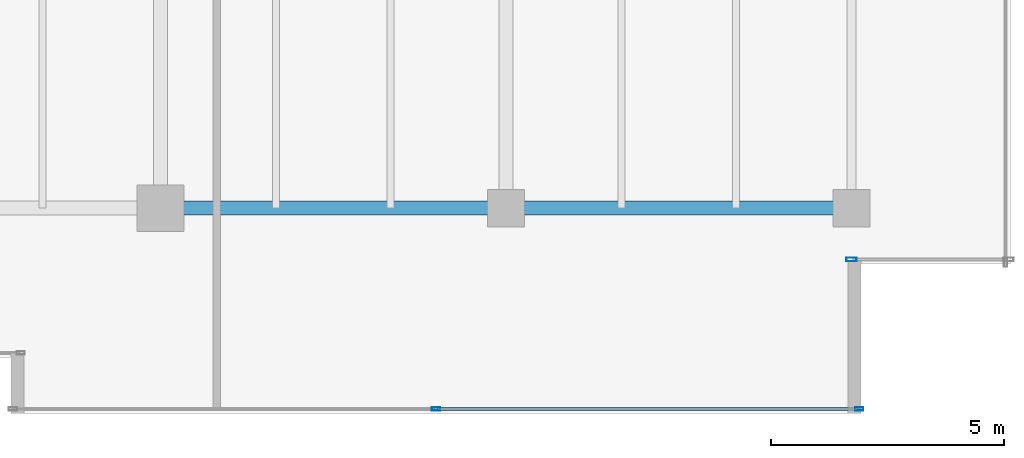
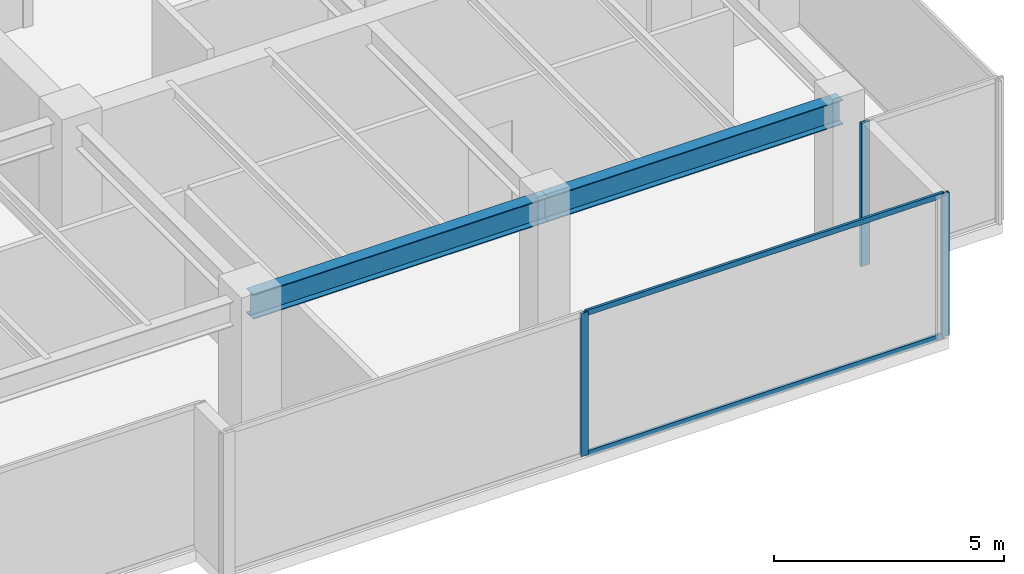
# One storey, part 13 of 33: 5 members, 2 beams, 2 elements without a shape of their own.
"""IFC4 building model written with IfcOpenShell, lengths in metres."""

import ifcopenshell
import ifcopenshell.guid

model = None  # the IFC model being written
_history = None  # IfcOwnerHistory: only IFC2X3 demands one
_inside = {}  # id of a spatial element -> (the spatial element, [elements in it])
_under = {}  # id of a project, library or spatial element -> (it, [spatial elements below it])
_declared = {}  # id of a project -> (the project, [libraries it declares])
_typed = {}  # id of a type object -> (the type object, [elements of that type])
_made_of = {}  # id of a material, layer set ... -> (it, [elements and type objects made of it])


def new_model(schema):
    """Start an empty IFC model of exactly this schema.

    Asked for "IFC4X3", IfcOpenShell would pick the latest addendum, in which some entities
    have other attributes; the version numbers below select the first issue.
    IFC2X3 requires an IfcOwnerHistory on every rooted entity: one is made here for all.
    """
    global model, _history
    if schema == "IFC4X3":
        model = ifcopenshell.file(schema_version=(4, 3, 0, 0))
    else:
        model = ifcopenshell.file(schema=schema)
    _inside.clear()
    _under.clear()
    _declared.clear()
    _typed.clear()
    _made_of.clear()
    _history = None
    if model.schema == "IFC2X3":
        org = make("IfcOrganization", Name="unknown")
        user = make(
            "IfcPersonAndOrganization",
            ThePerson=make("IfcPerson", FamilyName="unknown"),
            TheOrganization=org,
        )
        app = make(
            "IfcApplication",
            ApplicationDeveloper=org,
            Version="unknown",
            ApplicationFullName="unknown",
            ApplicationIdentifier="unknown",
        )
        _history = make(
            "IfcOwnerHistory",
            OwningUser=user,
            OwningApplication=app,
            ChangeAction="ADDED",
            CreationDate=0,
        )
    return model


def make(cls, **values):
    """One entity of the class cls with the attributes given. An attribute that is None is left unset."""
    return model.create_entity(
        cls, **{name: value for name, value in values.items() if value is not None}
    )


def rooted(cls, **values):
    """An entity with a GlobalId (a new one), such as an element, a storey or a relation."""
    return make(cls, GlobalId=ifcopenshell.guid.new(), OwnerHistory=_history, **values)


def si_unit(unit_type, name, prefix=None):
    """IfcSIUnit, for example si_unit("LENGTHUNIT", "METRE", prefix="MILLI")."""
    return make("IfcSIUnit", UnitType=unit_type, Prefix=prefix, Name=name)


def assignment(units):
    """IfcUnitAssignment: the units of a project."""
    return None if units is None else make("IfcUnitAssignment", Units=units)


def point(xyz):
    """IfcCartesianPoint."""
    return None if xyz is None else make("IfcCartesianPoint", Coordinates=xyz)


def direction(xyz):
    """IfcDirection."""
    return None if xyz is None else make("IfcDirection", DirectionRatios=xyz)


def frame(location, z_axis=None, x_axis=None):
    """IfcAxis2Placement3D, a coordinate frame: its origin and axes. An axis left out is left unset."""
    return make(
        "IfcAxis2Placement3D",
        Location=point(location),
        Axis=direction(z_axis),
        RefDirection=direction(x_axis),
    )


def frame_2d(location, x_axis=None):
    """IfcAxis2Placement2D, a coordinate frame in the plane: its origin and x axis."""
    return make(
        "IfcAxis2Placement2D", Location=point(location), RefDirection=direction(x_axis)
    )


def origin():
    """The frame at (0, 0, 0) with its axes left unset."""
    return frame((0.0, 0.0, 0.0))


def origin_2d():
    """The frame at (0, 0) in the plane with its x axis left unset."""
    return frame_2d((0.0, 0.0))


def place(relative_to, where):
    """IfcLocalPlacement: puts the frame where relative to a parent placement (None: the world)."""
    return make(
        "IfcLocalPlacement", PlacementRelTo=relative_to, RelativePlacement=where
    )


def context(
    kind, dimensions, precision=None, world=None, true_north=None, identifier=None
):
    """IfcGeometricRepresentationContext, for example the 3D "Model" context."""
    return make(
        "IfcGeometricRepresentationContext",
        ContextIdentifier=identifier,
        ContextType=kind,
        CoordinateSpaceDimension=dimensions,
        Precision=precision,
        WorldCoordinateSystem=world,
        TrueNorth=true_north,
    )


def subcontext(parent, identifier, kind, view, scale=None):
    """IfcGeometricRepresentationSubContext, for example "Body" below "Model"."""
    return make(
        "IfcGeometricRepresentationSubContext",
        ContextIdentifier=identifier,
        ContextType=kind,
        ParentContext=parent,
        TargetScale=scale,
        TargetView=view,
    )


def project(units=None, contexts=None):
    """IfcProject with its units and contexts."""
    return rooted(
        "IfcProject",
        Name="project",
        RepresentationContexts=contexts,
        UnitsInContext=assignment(units),
    )


def spatial(cls, under=None, at=None, **own):
    """A site, building, storey or space (cls), placed at a placement, below another one or the project."""
    s = rooted(cls, ObjectPlacement=at, **own)
    if under is not None:
        _under.setdefault(under.id(), (under, []))[1].append(s)
    return s


def profile(cls, at=None, kind="AREA", **sizes):
    """A parametric profile (cls). Its sizes go by their IFC names, for example OverallWidth=200.0."""
    return make(cls, ProfileType=kind, Position=at, **sizes)


def hollow_rectangle(**sizes):
    """IfcRectangleHollowProfileDef."""
    return profile("IfcRectangleHollowProfileDef", **sizes)


def i_section(**sizes):
    """IfcIShapeProfileDef."""
    return profile("IfcIShapeProfileDef", **sizes)


def extrude(swept, where, along, depth):
    """IfcExtrudedAreaSolid: the profile swept, set in the frame where, extruded along a direction by depth."""
    return make(
        "IfcExtrudedAreaSolid",
        SweptArea=swept,
        Position=where,
        ExtrudedDirection=direction(along),
        Depth=depth,
    )


def shape(context_of_items, identifier, shape_type, items):
    """IfcShapeRepresentation: the items that make up one representation, for example the "Body"."""
    return make(
        "IfcShapeRepresentation",
        ContextOfItems=context_of_items,
        RepresentationIdentifier=identifier,
        RepresentationType=shape_type,
        Items=items,
    )


def source(mapping_origin, context_of_items, identifier, shape_type, items):
    """IfcRepresentationMap: a shape defined once, which mapped items show again and again."""
    return make(
        "IfcRepresentationMap",
        MappingOrigin=mapping_origin,
        MappedRepresentation=shape(context_of_items, identifier, shape_type, items),
    )


def transform(
    local_origin,
    x_axis=None,
    y_axis=None,
    z_axis=None,
    scale=None,
    scale2=None,
    scale3=None,
    uniform=True,
):
    """IfcCartesianTransformationOperator3D, or its non-uniform kind. x_axis, y_axis, z_axis: its Axis1, 2, 3."""
    if uniform:
        return make(
            "IfcCartesianTransformationOperator3D",
            Axis1=direction(x_axis),
            Axis2=direction(y_axis),
            LocalOrigin=point(local_origin),
            Scale=scale,
            Axis3=direction(z_axis),
        )
    return make(
        "IfcCartesianTransformationOperator3DnonUniform",
        Axis1=direction(x_axis),
        Axis2=direction(y_axis),
        LocalOrigin=point(local_origin),
        Scale=scale,
        Axis3=direction(z_axis),
        Scale2=scale2,
        Scale3=scale3,
    )


def mapped(mapping_source, mapping_target):
    """IfcMappedItem: shows the shape of a source again, moved by a transform."""
    return make(
        "IfcMappedItem", MappingSource=mapping_source, MappingTarget=mapping_target
    )


def material(Name=None, Category=None):
    """IfcMaterial."""
    return make("IfcMaterial", Name=Name, Category=Category)


def layer(
    of_material, thickness, ventilated=None, Name=None, Category=None, Priority=None
):
    """IfcMaterialLayer: one layer of a wall or slab, of a material (None: an air gap)."""
    return make(
        "IfcMaterialLayer",
        Material=of_material,
        LayerThickness=thickness,
        IsVentilated=ventilated,
        Name=Name,
        Category=Category,
        Priority=Priority,
    )


def layer_set(layers, Name=None):
    """IfcMaterialLayerSet."""
    return make("IfcMaterialLayerSet", MaterialLayers=layers, LayerSetName=Name)


def material_profile(
    of_material, cross_section, Name=None, Category=None, Priority=None
):
    """IfcMaterialProfile: a cross section and its material."""
    return make(
        "IfcMaterialProfile",
        Name=Name,
        Material=of_material,
        Profile=cross_section,
        Priority=Priority,
        Category=Category,
    )


def profile_set(profiles, Name=None, composite=None):
    """IfcMaterialProfileSet."""
    return make(
        "IfcMaterialProfileSet",
        Name=Name,
        MaterialProfiles=profiles,
        CompositeProfile=composite,
    )


def made_of(thing, what):
    """Note that an element or type object is made of a material, layer set ...; save() writes the relation."""
    if what is not None:
        _made_of.setdefault(what.id(), (what, []))[1].append(thing)
    return thing


def type_object(cls, material=None, **own):
    """A type object (cls), such as IfcWallType, which elements share."""
    return made_of(rooted(cls, **own), material)


def type_shapes(of_type, sources):
    """Give a type object the sources (RepresentationMaps) that its elements show as mapped items."""
    of_type.RepresentationMaps = sources


def element(
    cls,
    number,
    at=None,
    inside=None,
    cuts=None,
    type_object=None,
    material=None,
    context=None,
    identifier="Body",
    shape_type=None,
    held_by="IfcProductDefinitionShape",
    body=None,
    shapes=None,
    **own,
):
    """One element of the class cls, such as IfcWall. Its Tag is "e" and its number.

    at: its placement. inside: the storey or other place that contains it. cuts: it is an
    opening in that element (IfcRelVoidsElement). A single representation is given by context,
    identifier, shape_type and body (its items); several are given by shapes. held_by: the class
    of the entity that holds the representations. save() writes the other relations.
    """
    e = rooted(cls, Tag="e%d" % number, ObjectPlacement=at, **own)
    if body is not None:
        shapes = [shape(context, identifier, shape_type, body)]
    if shapes is not None:
        e.Representation = make(held_by, Representations=shapes)
    if inside is not None:
        _inside.setdefault(inside.id(), (inside, []))[1].append(e)
    if cuts is not None:
        rooted(
            "IfcRelVoidsElement", RelatingBuildingElement=cuts, RelatedOpeningElement=e
        )
    if type_object is not None:
        _typed.setdefault(type_object.id(), (type_object, []))[1].append(e)
    return made_of(e, material)


def aggregate(whole, parts):
    """IfcRelAggregates: a whole, such as a stair, and the parts it consists of."""
    return rooted("IfcRelAggregates", RelatingObject=whole, RelatedObjects=parts)


def save(model, path):
    """Write the relations noted so far, then the file.

    IfcRelAggregates (storeys below a building ...), IfcRelContainedInSpatialStructure (elements
    in a storey), IfcRelDefinesByType, IfcRelAssociatesMaterial and IfcRelDeclares: one each for
    every whole, place, type object, material and project.
    """
    for whole, parts in _under.values():
        aggregate(whole, parts)
    for where, things in _inside.values():
        rooted(
            "IfcRelContainedInSpatialStructure",
            RelatedElements=things,
            RelatingStructure=where,
        )
    for kind, things in _typed.values():
        rooted("IfcRelDefinesByType", RelatedObjects=things, RelatingType=kind)
    for what, things in _made_of.values():
        rooted("IfcRelAssociatesMaterial", RelatedObjects=things, RelatingMaterial=what)
    for by, libraries in _declared.values():
        rooted("IfcRelDeclares", RelatingContext=by, RelatedDefinitions=libraries)
    model.write(path)


model = new_model("IFC4")

# Units and contexts
model_context = context("Model", 3, precision=1e-05, world=origin(), true_north=direction((0.0, 1.0)))
body_context = subcontext(model_context, "Body", "Model", "MODEL_VIEW")
ifc_project = project(units=[si_unit("LENGTHUNIT", "METRE"), si_unit("AREAUNIT", "SQUARE_METRE"), si_unit("VOLUMEUNIT", "CUBIC_METRE"), si_unit("PLANEANGLEUNIT", "RADIAN"), si_unit("MASSUNIT", "GRAM", prefix="KILO")], contexts=[model_context])

# Site, building, storey
site_placement = place(None, origin())
site = spatial("IfcSite", under=ifc_project, at=site_placement, CompositionType="ELEMENT")
building_placement = place(site_placement, origin())
building = spatial("IfcBuilding", under=site, at=building_placement, Name="Haelvirn Gate Laboratories", CompositionType="ELEMENT")
storey_placement = place(building_placement, frame((0.0, 0.0, 213.699951171875)))
storey = spatial("IfcBuildingStorey", under=building, at=storey_placement, Name="L51", CompositionType="ELEMENT", Elevation=213.699951171875)

# Beams
ifc_material_1 = material(Name="Steel SM355", Category="steel")
ifc_material_profile_1 = material_profile(ifc_material_1, i_section(OverallWidth=0.300048828125, OverallDepth=0.64990234375, WebThickness=0.012939453125, FlangeThickness=0.02197265625, at=origin_2d()), Name="H-650x300x13x22")
ifc_profile_set_1 = profile_set([ifc_material_profile_1], Name="Steel SM355")
beam_type = type_object("IfcBeamType", Name="BM-G-650", PredefinedType="BEAM", material=ifc_profile_set_1)
shared_shape_1 = source(origin(), body_context, "Body", "SweptSolid", [
    extrude(i_section(OverallWidth=0.300048828125, OverallDepth=0.64990234375, WebThickness=0.012939453125, FlangeThickness=0.02197265625, at=origin_2d()), origin(), (0.0, 0.0, 1.0), 7.39990234375),
])
type_shapes(beam_type, [shared_shape_1])
for number, where, z_axis, x_axis, name in (
    (1, (52.60009765625, 7.0, 3.47509765625), (1.0, 0.0, 0.0), (0.0, 1.0, 0.0), "L51 Primary Girder Y7.0 (52.6-60.0)"),
    (2, (60.0, 7.0, 3.47509765625), (1.0, 0.0, 0.0), (0.0, 1.0, 0.0), "L51 Primary Girder Y7.0 (60.0-67.4)"),
):
    element("IfcBeam", number, at=place(storey_placement, frame(where, z_axis=z_axis, x_axis=x_axis)), inside=storey, type_object=beam_type, Name=name, PredefinedType="BEAM", context=body_context, shape_type="MappedRepresentation", body=[
        mapped(shared_shape_1, transform((0.0, 0.0, 0.0), scale=1.0)),
    ])

# Curtain wall, members
ifc_material_2 = material(Name="Anodised bronze unitised aluminium & triple low-E glass", Category="aluminium")
ifc_layer_1 = layer(ifc_material_2, 0.176025390625, Name="CW-SYS-4")
ifc_layer_set_1 = layer_set([ifc_layer_1], Name="Anodised bronze unitised aluminium & triple low-E glass")
curtain_wall_type_1 = type_object("IfcCurtainWallType", Name="CW-SYS-4", PredefinedType="NOTDEFINED", material=ifc_layer_set_1)
curtain_wall_1_placement = place(storey_placement, origin())
curtain_wall_1 = element("IfcCurtainWall", 3, at=curtain_wall_1_placement, inside=storey, type_object=curtain_wall_type_1, Name="L51 Unitised Curtain Wall CW-L51-P0-E04-1", PredefinedType="NOTDEFINED")
ifc_material_3 = material(Name="Extruded aluminium 6063-T6 (anodised bronze)", Category="aluminium")
ifc_material_profile_2 = material_profile(ifc_material_3, hollow_rectangle(XDim=0.06494140625, YDim=0.139892578125, WallThickness=0.00390625, at=origin_2d()), Name="CWT-140x65x4")
ifc_profile_set_2 = profile_set([ifc_material_profile_2], Name="Extruded aluminium 6063-T6 (anodised bronze)")
member_type_1 = type_object("IfcMemberType", Name="CWT-T140", PredefinedType="USERDEFINED", material=ifc_profile_set_2)
shared_shape_2 = source(origin(), body_context, "Body", "SweptSolid", [
    extrude(hollow_rectangle(XDim=0.06494140625, YDim=0.139892578125, WallThickness=0.00390625, at=origin_2d()), origin(), (0.0, 0.0, 1.0), 8.9951171875),
])
type_shapes(member_type_1, [shared_shape_2])
member_1_placement = place(storey_placement, frame((58.534912109375, 2.699951171875, 0.032470703125), z_axis=(1.0, 0.0, 0.0), x_axis=(0.0, 1.0, 0.0)))
member_1 = element("IfcMember", 4, at=member_1_placement, type_object=member_type_1, Name="CW4 transom 2.1", ObjectType="TRANSOM", PredefinedType="USERDEFINED", context=body_context, shape_type="MappedRepresentation", body=[
    mapped(shared_shape_2, transform((0.0, 0.0, 0.0), scale=1.0)),
])
member_2_placement = place(storey_placement, frame((58.534912109375, 2.699951171875, 3.767578125), z_axis=(1.0, 0.0, 0.0), x_axis=(0.0, 1.0, 0.0)))
member_2 = element("IfcMember", 5, at=member_2_placement, type_object=member_type_1, Name="CW4 transom 2.2", ObjectType="TRANSOM", PredefinedType="USERDEFINED", context=body_context, shape_type="MappedRepresentation", body=[
    mapped(shared_shape_2, transform((0.0, 0.0, 0.0), scale=1.0)),
])
ifc_material_profile_3 = material_profile(ifc_material_3, hollow_rectangle(XDim=0.070068359375, YDim=0.179931640625, WallThickness=0.0048828125, at=origin_2d()), Name="CWM-180x70x5")
ifc_profile_set_3 = profile_set([ifc_material_profile_3], Name="Extruded aluminium 6063-T6 (anodised bronze)")
member_type_2 = type_object("IfcMemberType", Name="CWM-T180", PredefinedType="MULLION", material=ifc_profile_set_3)
shared_shape_3 = source(origin(), body_context, "Body", "SweptSolid", [
    extrude(hollow_rectangle(XDim=0.070068359375, YDim=0.179931640625, WallThickness=0.0048828125, at=origin_2d()), origin(), (0.0, 0.0, 1.0), 3.800048828125),
])
type_shapes(member_type_2, [shared_shape_3])
member_3_placement = place(storey_placement, frame((58.5, 2.699951171875, 0.0), z_axis=(0.0, 0.0, 1.0), x_axis=(0.0, 1.0, 0.0)))
member_3 = element("IfcMember", 6, at=member_3_placement, type_object=member_type_2, Name="CW4 mullion 2", PredefinedType="MULLION", context=body_context, shape_type="MappedRepresentation", body=[
    mapped(shared_shape_3, transform((0.0, 0.0, 0.0), scale=1.0)),
])
member_4_placement = place(storey_placement, frame((67.56494140625, 2.699951171875, 0.0), z_axis=(0.0, 0.0, 1.0), x_axis=(0.0, 1.0, 0.0)))
member_4 = element("IfcMember", 7, at=member_4_placement, type_object=member_type_2, Name="CW4 mullion 3", PredefinedType="MULLION", context=body_context, shape_type="MappedRepresentation", body=[
    mapped(shared_shape_3, transform((0.0, 0.0, 0.0), scale=1.0)),
])
aggregate(curtain_wall_1, [member_3, member_4, member_1, member_2])

# Curtain wall, member
ifc_layer_2 = layer(ifc_material_2, 0.181884765625, Name="CW-SYS-5")
ifc_layer_set_2 = layer_set([ifc_layer_2], Name="Anodised bronze unitised aluminium & triple low-E glass")
curtain_wall_type_2 = type_object("IfcCurtainWallType", Name="CW-SYS-5", PredefinedType="NOTDEFINED", material=ifc_layer_set_2)
curtain_wall_2_placement = place(storey_placement, origin())
curtain_wall_2 = element("IfcCurtainWall", 8, at=curtain_wall_2_placement, inside=storey, type_object=curtain_wall_type_2, Name="L51 Unitised Curtain Wall CW-L51-P0-E06-1", PredefinedType="NOTDEFINED")
ifc_material_profile_4 = material_profile(ifc_material_3, hollow_rectangle(XDim=0.080078125, YDim=0.219970703125, WallThickness=0.006103515625, at=origin_2d()), Name="CWM-220x80x6")
ifc_profile_set_4 = profile_set([ifc_material_profile_4], Name="Extruded aluminium 6063-T6 (anodised bronze)")
member_type_3 = type_object("IfcMemberType", Name="CWM-T220", PredefinedType="MULLION", material=ifc_profile_set_4)
shared_shape_4 = source(origin(), body_context, "Body", "SweptSolid", [
    extrude(hollow_rectangle(XDim=0.080078125, YDim=0.219970703125, WallThickness=0.006103515625, at=origin_2d()), origin(), (0.0, 0.0, 1.0), 3.800048828125),
])
type_shapes(member_type_3, [shared_shape_4])
member_5_placement = place(storey_placement, frame((67.39990234375, 5.89990234375, 0.0), z_axis=(0.0, 0.0, 1.0), x_axis=(0.0, 1.0, 0.0)))
member_5 = element("IfcMember", 9, at=member_5_placement, type_object=member_type_3, Name="CW5 mullion 1", PredefinedType="MULLION", context=body_context, shape_type="MappedRepresentation", body=[
    mapped(shared_shape_4, transform((0.0, 0.0, 0.0), scale=1.0)),
])
aggregate(curtain_wall_2, [member_5])

save(model, "model.ifc")
